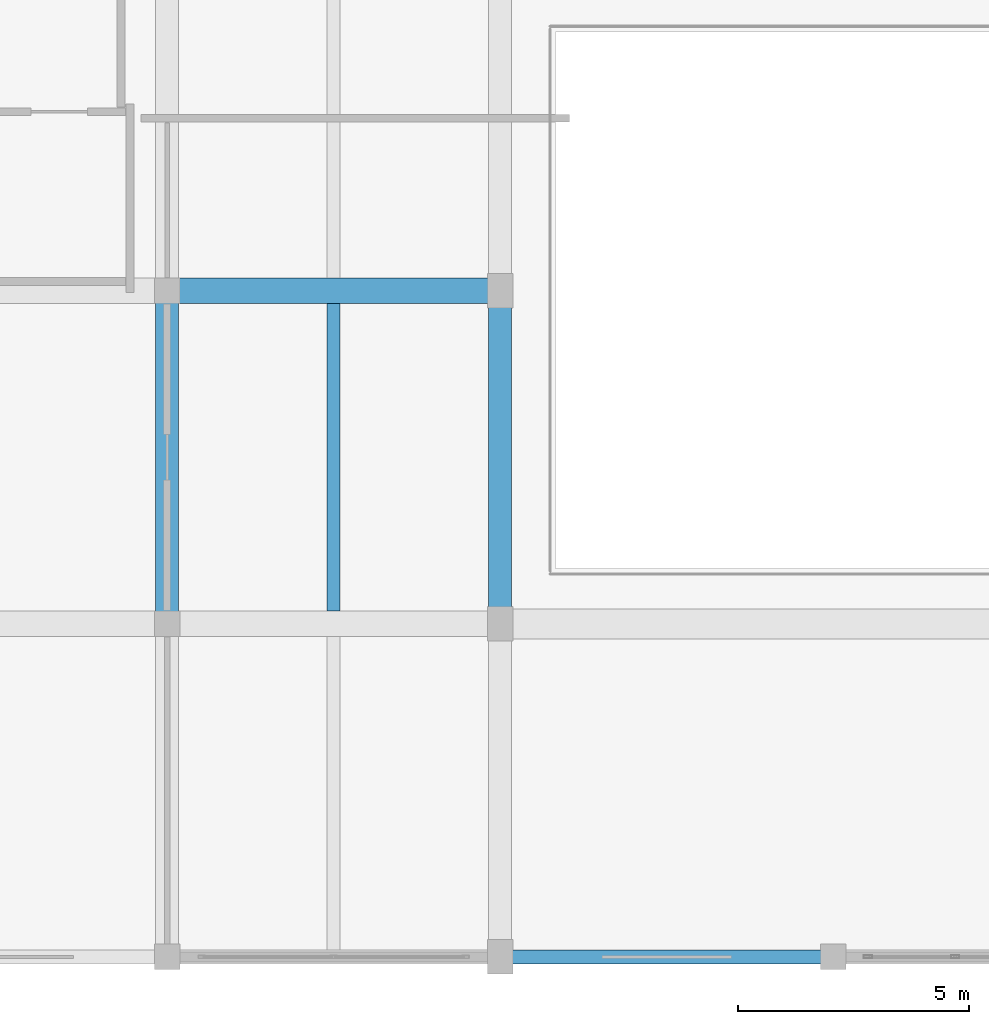
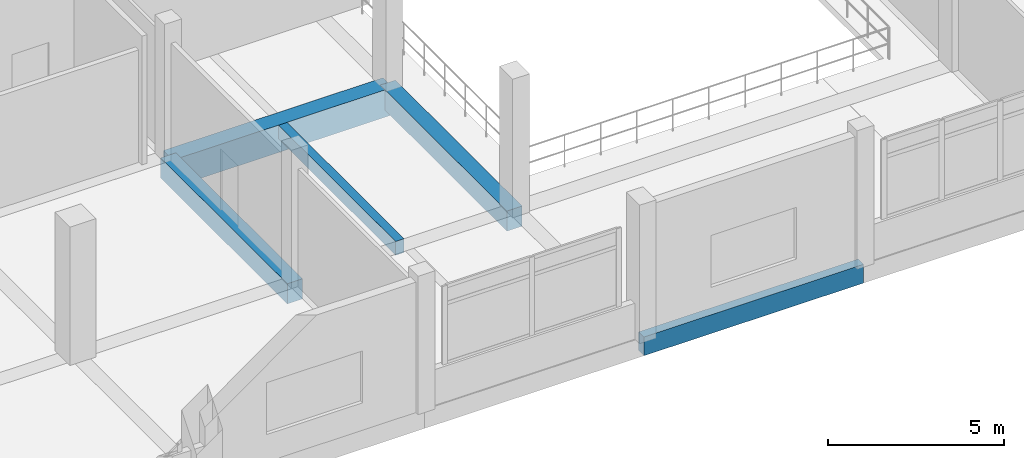
# One storey, part 105 of 181: 5 beams.
"""IFC4 building model written with IfcOpenShell, lengths in metres."""

from ifc_helpers import new_model, si_unit, direction, frame, origin, origin_2d, place, context, subcontext, project, spatial, rectangle, extrude, material, material_profile, profile_set, type_object, element, save


model = new_model("IFC4")

# Units and contexts
model_context = context("Model", 3, precision=1e-05, world=origin(), true_north=direction((0.0, 1.0)))
body_context = subcontext(model_context, "Body", "Model", "MODEL_VIEW")
ifc_project = project(units=[si_unit("LENGTHUNIT", "METRE"), si_unit("AREAUNIT", "SQUARE_METRE"), si_unit("VOLUMEUNIT", "CUBIC_METRE"), si_unit("PLANEANGLEUNIT", "RADIAN"), si_unit("MASSUNIT", "GRAM", prefix="KILO")], contexts=[model_context])

# Site, building, storey
site_placement = place(None, origin())
site = spatial("IfcSite", under=ifc_project, at=site_placement, CompositionType="ELEMENT")
building_placement = place(site_placement, origin())
building = spatial("IfcBuilding", under=site, at=building_placement, Name="Seraya Terrace Polytechnic", CompositionType="ELEMENT")
storey_placement = place(building_placement, frame((0.0, 0.0, 4.800048828125)))
storey = spatial("IfcBuildingStorey", under=building, at=storey_placement, Name="L01", CompositionType="ELEMENT", Elevation=4.800048828125)

# Beams
ifc_material = material(Name="Concrete C40/50", Category="concrete")
ifc_material_profile_1 = material_profile(ifc_material, rectangle(XDim=0.550048828125, YDim=0.949951171875, at=origin_2d()), Name="RC 550x950")
ifc_profile_set_1 = profile_set([ifc_material_profile_1], Name="Concrete C40/50")
beam_type_1 = type_object("IfcBeamType", Name="BM-03", PredefinedType="BEAM", material=ifc_profile_set_1)
beam_1_placement = place(storey_placement, frame((129.60009765625, 14.39990234375, -0.47509765625), z_axis=(1.0, 0.0, 0.0), x_axis=(0.0, 1.0, 0.0)))
element("IfcBeam", 1, at=beam_1_placement, inside=storey, type_object=beam_type_1, Name="Beam BM-03 L01 X (129.6..136.8, 14.4)", PredefinedType="BEAM", context=body_context, shape_type="SweptSolid", body=[
    extrude(rectangle(XDim=0.550048828125, YDim=0.949951171875, at=origin_2d()), origin(), (0.0, 0.0, 1.0), 7.199951171875),
])
ifc_material_profile_2 = material_profile(ifc_material, rectangle(XDim=0.5, YDim=0.699951171875, at=origin_2d()), Name="RC 500x700")
ifc_profile_set_2 = profile_set([ifc_material_profile_2], Name="Concrete C40/50")
beam_type_2 = type_object("IfcBeamType", Name="BM-07", PredefinedType="BEAM", material=ifc_profile_set_2)
for number, where, z_axis, x_axis, name in (
    (2, (129.60009765625, 7.199951171875, -0.35009765625), (0.0, 1.0, 0.0), (-1.0, 0.0, 0.0), "Beam BM-07 L01 Y (129.6, 7.2..14.4)"),
    (3, (136.800048828125, 7.199951171875, -0.35009765625), (0.0, 1.0, 0.0), (-1.0, 0.0, 0.0), "Beam BM-07 L01 Y (136.8, 7.2..14.4)"),
):
    element("IfcBeam", number, at=place(storey_placement, frame(where, z_axis=z_axis, x_axis=x_axis)), inside=storey, type_object=beam_type_2, Name=name, PredefinedType="BEAM", context=body_context, shape_type="SweptSolid", body=[
        extrude(rectangle(XDim=0.5, YDim=0.699951171875, at=origin_2d()), origin(), (0.0, 0.0, 1.0), 7.199951171875),
    ])
ifc_material_profile_3 = material_profile(ifc_material, rectangle(XDim=0.280029296875, YDim=0.47998046875, at=origin_2d()), Name="RC 280x480")
ifc_profile_set_3 = profile_set([ifc_material_profile_3], Name="Concrete C40/50")
beam_type_3 = type_object("IfcBeamType", Name="JS-07", PredefinedType="JOIST", material=ifc_profile_set_3)
beam_2_placement = place(storey_placement, frame((133.199951171875, 7.47509765625, -0.239990234375), z_axis=(0.0, 1.0, 0.0), x_axis=(-1.0, 0.0, 0.0)))
element("IfcBeam", 4, at=beam_2_placement, inside=storey, type_object=beam_type_3, Name="Secondary joist JS-07 L01", PredefinedType="JOIST", context=body_context, shape_type="SweptSolid", body=[
    extrude(rectangle(XDim=0.280029296875, YDim=0.47998046875, at=origin_2d()), origin(), (0.0, 0.0, 1.0), 6.64990234375),
])
ifc_material_profile_4 = material_profile(ifc_material, rectangle(XDim=0.300048828125, YDim=0.64990234375, at=origin_2d()), Name="RC 300x650")
ifc_profile_set_4 = profile_set([ifc_material_profile_4], Name="Concrete C40/50")
beam_type_4 = type_object("IfcBeamType", Name="SP-01", PredefinedType="SPANDREL", material=ifc_profile_set_4)
beam_3_placement = place(storey_placement, frame((136.800048828125, 0.0, -0.324951171875), z_axis=(1.0, 0.0, 0.0), x_axis=(0.0, 1.0, 0.0)))
element("IfcBeam", 5, at=beam_3_placement, inside=storey, type_object=beam_type_4, Name="Beam SP-01 L01 X (136.8..144.0, 0.0)", PredefinedType="SPANDREL", context=body_context, shape_type="SweptSolid", body=[
    extrude(rectangle(XDim=0.300048828125, YDim=0.64990234375, at=origin_2d()), origin(), (0.0, 0.0, 1.0), 7.199951171875),
])

save(model, "model.ifc")
